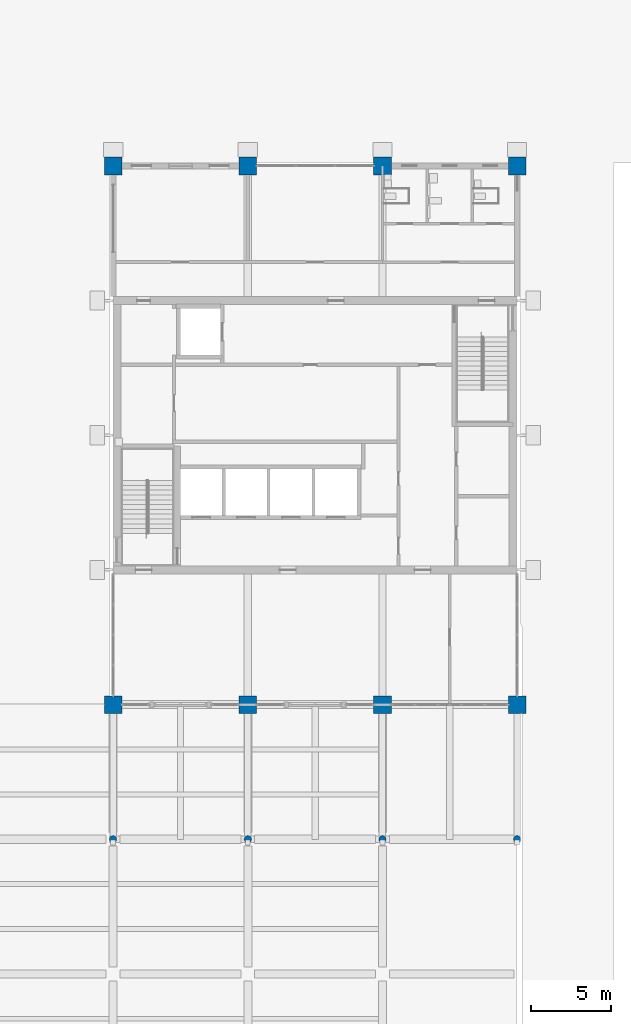
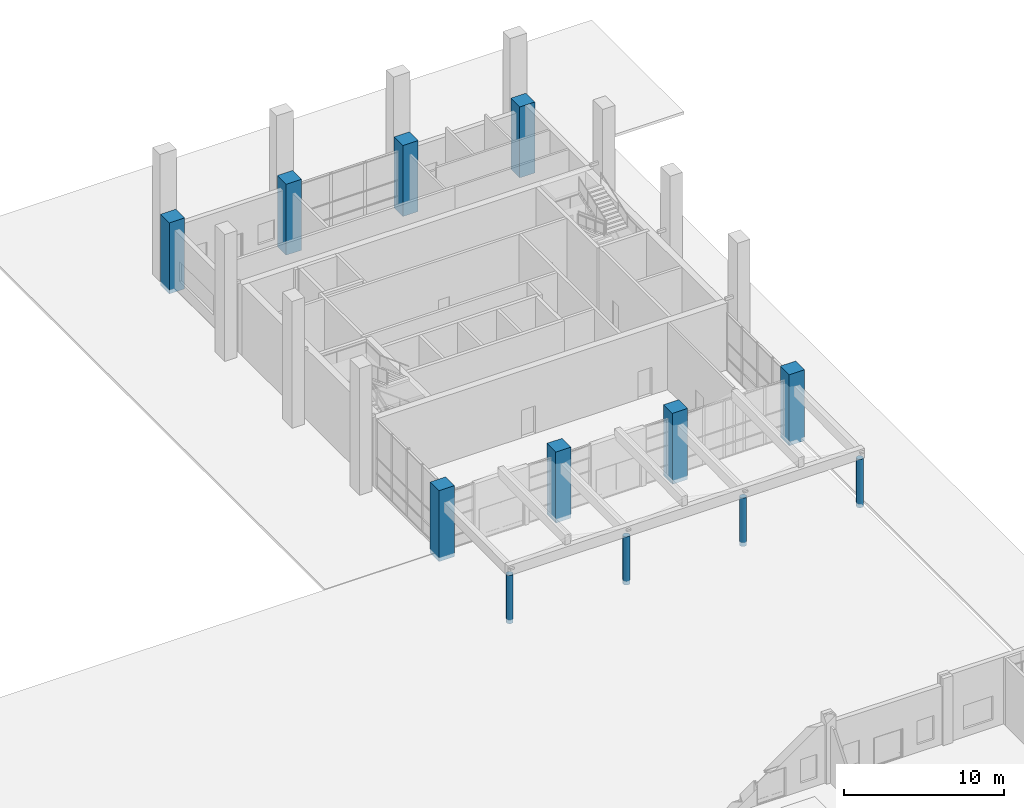
# One storey, part 4 of 74: 12 columns.
"""IFC4 building model written with IfcOpenShell, lengths in metres."""

import ifcopenshell
import ifcopenshell.guid

model = None  # the IFC model being written
_history = None  # IfcOwnerHistory: only IFC2X3 demands one
_inside = {}  # id of a spatial element -> (the spatial element, [elements in it])
_under = {}  # id of a project, library or spatial element -> (it, [spatial elements below it])
_declared = {}  # id of a project -> (the project, [libraries it declares])
_typed = {}  # id of a type object -> (the type object, [elements of that type])
_made_of = {}  # id of a material, layer set ... -> (it, [elements and type objects made of it])


def new_model(schema):
    """Start an empty IFC model of exactly this schema.

    Asked for "IFC4X3", IfcOpenShell would pick the latest addendum, in which some entities
    have other attributes; the version numbers below select the first issue.
    IFC2X3 requires an IfcOwnerHistory on every rooted entity: one is made here for all.
    """
    global model, _history
    if schema == "IFC4X3":
        model = ifcopenshell.file(schema_version=(4, 3, 0, 0))
    else:
        model = ifcopenshell.file(schema=schema)
    _inside.clear()
    _under.clear()
    _declared.clear()
    _typed.clear()
    _made_of.clear()
    _history = None
    if model.schema == "IFC2X3":
        org = make("IfcOrganization", Name="unknown")
        user = make(
            "IfcPersonAndOrganization",
            ThePerson=make("IfcPerson", FamilyName="unknown"),
            TheOrganization=org,
        )
        app = make(
            "IfcApplication",
            ApplicationDeveloper=org,
            Version="unknown",
            ApplicationFullName="unknown",
            ApplicationIdentifier="unknown",
        )
        _history = make(
            "IfcOwnerHistory",
            OwningUser=user,
            OwningApplication=app,
            ChangeAction="ADDED",
            CreationDate=0,
        )
    return model


def make(cls, **values):
    """One entity of the class cls with the attributes given. An attribute that is None is left unset."""
    return model.create_entity(
        cls, **{name: value for name, value in values.items() if value is not None}
    )


def rooted(cls, **values):
    """An entity with a GlobalId (a new one), such as an element, a storey or a relation."""
    return make(cls, GlobalId=ifcopenshell.guid.new(), OwnerHistory=_history, **values)


def si_unit(unit_type, name, prefix=None):
    """IfcSIUnit, for example si_unit("LENGTHUNIT", "METRE", prefix="MILLI")."""
    return make("IfcSIUnit", UnitType=unit_type, Prefix=prefix, Name=name)


def assignment(units):
    """IfcUnitAssignment: the units of a project."""
    return None if units is None else make("IfcUnitAssignment", Units=units)


def point(xyz):
    """IfcCartesianPoint."""
    return None if xyz is None else make("IfcCartesianPoint", Coordinates=xyz)


def direction(xyz):
    """IfcDirection."""
    return None if xyz is None else make("IfcDirection", DirectionRatios=xyz)


def frame(location, z_axis=None, x_axis=None):
    """IfcAxis2Placement3D, a coordinate frame: its origin and axes. An axis left out is left unset."""
    return make(
        "IfcAxis2Placement3D",
        Location=point(location),
        Axis=direction(z_axis),
        RefDirection=direction(x_axis),
    )


def frame_2d(location, x_axis=None):
    """IfcAxis2Placement2D, a coordinate frame in the plane: its origin and x axis."""
    return make(
        "IfcAxis2Placement2D", Location=point(location), RefDirection=direction(x_axis)
    )


def origin():
    """The frame at (0, 0, 0) with its axes left unset."""
    return frame((0.0, 0.0, 0.0))


def origin_2d():
    """The frame at (0, 0) in the plane with its x axis left unset."""
    return frame_2d((0.0, 0.0))


def place(relative_to, where):
    """IfcLocalPlacement: puts the frame where relative to a parent placement (None: the world)."""
    return make(
        "IfcLocalPlacement", PlacementRelTo=relative_to, RelativePlacement=where
    )


def context(
    kind, dimensions, precision=None, world=None, true_north=None, identifier=None
):
    """IfcGeometricRepresentationContext, for example the 3D "Model" context."""
    return make(
        "IfcGeometricRepresentationContext",
        ContextIdentifier=identifier,
        ContextType=kind,
        CoordinateSpaceDimension=dimensions,
        Precision=precision,
        WorldCoordinateSystem=world,
        TrueNorth=true_north,
    )


def subcontext(parent, identifier, kind, view, scale=None):
    """IfcGeometricRepresentationSubContext, for example "Body" below "Model"."""
    return make(
        "IfcGeometricRepresentationSubContext",
        ContextIdentifier=identifier,
        ContextType=kind,
        ParentContext=parent,
        TargetScale=scale,
        TargetView=view,
    )


def project(units=None, contexts=None):
    """IfcProject with its units and contexts."""
    return rooted(
        "IfcProject",
        Name="project",
        RepresentationContexts=contexts,
        UnitsInContext=assignment(units),
    )


def spatial(cls, under=None, at=None, **own):
    """A site, building, storey or space (cls), placed at a placement, below another one or the project."""
    s = rooted(cls, ObjectPlacement=at, **own)
    if under is not None:
        _under.setdefault(under.id(), (under, []))[1].append(s)
    return s


def profile(cls, at=None, kind="AREA", **sizes):
    """A parametric profile (cls). Its sizes go by their IFC names, for example OverallWidth=200.0."""
    return make(cls, ProfileType=kind, Position=at, **sizes)


def rectangle(**sizes):
    """IfcRectangleProfileDef."""
    return profile("IfcRectangleProfileDef", **sizes)


def circle(**sizes):
    """IfcCircleProfileDef."""
    return profile("IfcCircleProfileDef", **sizes)


def extrude(swept, where, along, depth):
    """IfcExtrudedAreaSolid: the profile swept, set in the frame where, extruded along a direction by depth."""
    return make(
        "IfcExtrudedAreaSolid",
        SweptArea=swept,
        Position=where,
        ExtrudedDirection=direction(along),
        Depth=depth,
    )


def shape(context_of_items, identifier, shape_type, items):
    """IfcShapeRepresentation: the items that make up one representation, for example the "Body"."""
    return make(
        "IfcShapeRepresentation",
        ContextOfItems=context_of_items,
        RepresentationIdentifier=identifier,
        RepresentationType=shape_type,
        Items=items,
    )


def material(Name=None, Category=None):
    """IfcMaterial."""
    return make("IfcMaterial", Name=Name, Category=Category)


def material_profile(
    of_material, cross_section, Name=None, Category=None, Priority=None
):
    """IfcMaterialProfile: a cross section and its material."""
    return make(
        "IfcMaterialProfile",
        Name=Name,
        Material=of_material,
        Profile=cross_section,
        Priority=Priority,
        Category=Category,
    )


def profile_set(profiles, Name=None, composite=None):
    """IfcMaterialProfileSet."""
    return make(
        "IfcMaterialProfileSet",
        Name=Name,
        MaterialProfiles=profiles,
        CompositeProfile=composite,
    )


def made_of(thing, what):
    """Note that an element or type object is made of a material, layer set ...; save() writes the relation."""
    if what is not None:
        _made_of.setdefault(what.id(), (what, []))[1].append(thing)
    return thing


def type_object(cls, material=None, **own):
    """A type object (cls), such as IfcWallType, which elements share."""
    return made_of(rooted(cls, **own), material)


def element(
    cls,
    number,
    at=None,
    inside=None,
    cuts=None,
    type_object=None,
    material=None,
    context=None,
    identifier="Body",
    shape_type=None,
    held_by="IfcProductDefinitionShape",
    body=None,
    shapes=None,
    **own,
):
    """One element of the class cls, such as IfcWall. Its Tag is "e" and its number.

    at: its placement. inside: the storey or other place that contains it. cuts: it is an
    opening in that element (IfcRelVoidsElement). A single representation is given by context,
    identifier, shape_type and body (its items); several are given by shapes. held_by: the class
    of the entity that holds the representations. save() writes the other relations.
    """
    e = rooted(cls, Tag="e%d" % number, ObjectPlacement=at, **own)
    if body is not None:
        shapes = [shape(context, identifier, shape_type, body)]
    if shapes is not None:
        e.Representation = make(held_by, Representations=shapes)
    if inside is not None:
        _inside.setdefault(inside.id(), (inside, []))[1].append(e)
    if cuts is not None:
        rooted(
            "IfcRelVoidsElement", RelatingBuildingElement=cuts, RelatedOpeningElement=e
        )
    if type_object is not None:
        _typed.setdefault(type_object.id(), (type_object, []))[1].append(e)
    return made_of(e, material)


def aggregate(whole, parts):
    """IfcRelAggregates: a whole, such as a stair, and the parts it consists of."""
    return rooted("IfcRelAggregates", RelatingObject=whole, RelatedObjects=parts)


def save(model, path):
    """Write the relations noted so far, then the file.

    IfcRelAggregates (storeys below a building ...), IfcRelContainedInSpatialStructure (elements
    in a storey), IfcRelDefinesByType, IfcRelAssociatesMaterial and IfcRelDeclares: one each for
    every whole, place, type object, material and project.
    """
    for whole, parts in _under.values():
        aggregate(whole, parts)
    for where, things in _inside.values():
        rooted(
            "IfcRelContainedInSpatialStructure",
            RelatedElements=things,
            RelatingStructure=where,
        )
    for kind, things in _typed.values():
        rooted("IfcRelDefinesByType", RelatedObjects=things, RelatingType=kind)
    for what, things in _made_of.values():
        rooted("IfcRelAssociatesMaterial", RelatedObjects=things, RelatingMaterial=what)
    for by, libraries in _declared.values():
        rooted("IfcRelDeclares", RelatingContext=by, RelatedDefinitions=libraries)
    model.write(path)


model = new_model("IFC4")

# Units and contexts
model_context = context("Model", 3, precision=1e-05, world=origin(), true_north=direction((0.0, 1.0)))
body_context = subcontext(model_context, "Body", "Model", "MODEL_VIEW")
ifc_project = project(units=[si_unit("LENGTHUNIT", "METRE"), si_unit("AREAUNIT", "SQUARE_METRE"), si_unit("VOLUMEUNIT", "CUBIC_METRE"), si_unit("PLANEANGLEUNIT", "RADIAN"), si_unit("MASSUNIT", "GRAM", prefix="KILO")], contexts=[model_context])

# Site, building, storey
site_placement = place(None, origin())
site = spatial("IfcSite", under=ifc_project, at=site_placement, CompositionType="ELEMENT")
building_placement = place(site_placement, origin())
building = spatial("IfcBuilding", under=site, at=building_placement, Name="Rulbaag Community and Learning Centre", CompositionType="ELEMENT")
storey_placement = place(building_placement, origin())
storey = spatial("IfcBuildingStorey", under=building, at=storey_placement, Name="L00", CompositionType="ELEMENT", Elevation=0.0)

# Columns
ifc_material_1 = material(Name="Concrete M60", Category="concrete")
ifc_material_profile_1 = material_profile(ifc_material_1, rectangle(XDim=1.10009765625, YDim=1.10009765625, at=origin_2d()), Name="RC1100x1100")
ifc_profile_set_1 = profile_set([ifc_material_profile_1], Name="Concrete M60")
column_type_1 = type_object("IfcColumnType", Name="C9 Column 1100x1100 Concrete M60", PredefinedType="COLUMN", material=ifc_profile_set_1)
for number, where, z_axis, x_axis, name in (
    (1, (142.800048828125, 84.0, -0.300048828125), (0.0, 0.0, 1.0), (1.0, 0.0, 0.0), "COL-18K-L00"),
    (2, (142.800048828125, 117.60009765625, -0.300048828125), (0.0, 0.0, 1.0), (1.0, 0.0, 0.0), "COL-18O-L00"),
    (3, (151.199951171875, 84.0, -0.300048828125), (0.0, 0.0, 1.0), (1.0, 0.0, 0.0), "COL-19K-L00"),
    (4, (151.199951171875, 117.60009765625, -0.300048828125), (0.0, 0.0, 1.0), (1.0, 0.0, 0.0), "COL-19O-L00"),
    (5, (159.60009765625, 84.0, -0.300048828125), (0.0, 0.0, 1.0), (1.0, 0.0, 0.0), "COL-20K-L00"),
    (6, (159.60009765625, 117.60009765625, -0.300048828125), (0.0, 0.0, 1.0), (1.0, 0.0, 0.0), "COL-20O-L00"),
    (7, (168.0, 84.0, -0.300048828125), (0.0, 0.0, 1.0), (1.0, 0.0, 0.0), "COL-21K-L00"),
    (8, (168.0, 117.60009765625, -0.300048828125), (0.0, 0.0, 1.0), (1.0, 0.0, 0.0), "COL-21O-L00"),
):
    element("IfcColumn", number, at=place(storey_placement, frame(where, z_axis=z_axis, x_axis=x_axis)), inside=storey, type_object=column_type_1, Name=name, PredefinedType="COLUMN", context=body_context, shape_type="SweptSolid", body=[
        extrude(rectangle(XDim=1.10009765625, YDim=1.10009765625, at=origin_2d()), origin(), (0.0, 0.0, 1.0), 5.400146484375),
    ])
ifc_material_2 = material(Name="Concrete M40", Category="concrete")
ifc_material_profile_2 = material_profile(ifc_material_2, circle(Radius=0.22509765625, at=origin_2d()), Name="RD450")
ifc_profile_set_2 = profile_set([ifc_material_profile_2], Name="Concrete M40")
column_type_2 = type_object("IfcColumnType", Name="CT1 Porch tip column 450 Concrete M40", PredefinedType="COLUMN", material=ifc_profile_set_2)
for number, where, z_axis, x_axis, name in (
    (9, (142.800048828125, 75.60009765625, -0.300048828125), (0.0, 0.0, 1.0), (1.0, 0.0, 0.0), "COL-PORCH-T1"),
    (10, (151.199951171875, 75.60009765625, -0.300048828125), (0.0, 0.0, 1.0), (1.0, 0.0, 0.0), "COL-PORCH-T2"),
    (11, (159.60009765625, 75.60009765625, -0.300048828125), (0.0, 0.0, 1.0), (1.0, 0.0, 0.0), "COL-PORCH-T3"),
    (12, (168.0, 75.60009765625, -0.300048828125), (0.0, 0.0, 1.0), (1.0, 0.0, 0.0), "COL-PORCH-T4"),
):
    element("IfcColumn", number, at=place(storey_placement, frame(where, z_axis=z_axis, x_axis=x_axis)), inside=storey, type_object=column_type_2, Name=name, PredefinedType="COLUMN", context=body_context, shape_type="SweptSolid", body=[
        extrude(circle(Radius=0.22509765625, at=origin_2d()), origin(), (0.0, 0.0, 1.0), 3.675048828125),
    ])

save(model, "model.ifc")
